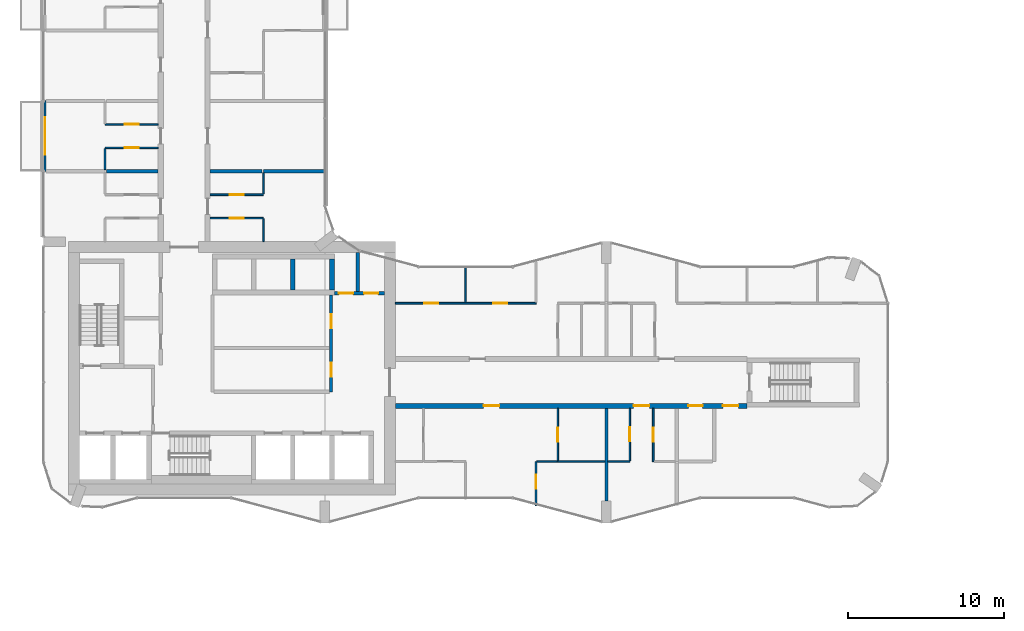
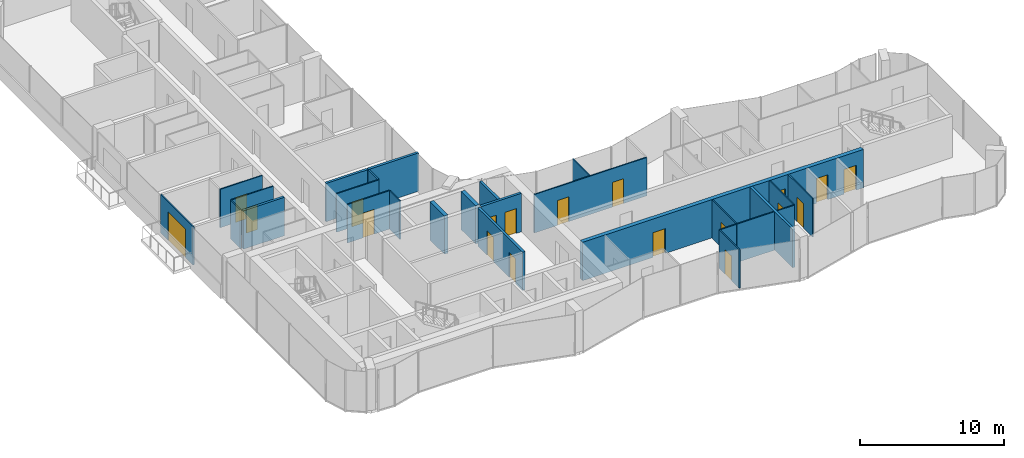
# One storey, part 14 of 23: 27 walls, 19 doors, 19 openings.
"""IFC4 building model written with IfcOpenShell, lengths in metres."""

from ifc_helpers import new_model, si_unit, direction, frame, frame_2d, origin, place, context, subcontext, project, spatial, rectangle, extrude, material, layer, layer_set, type_object, element, fill, save


model = new_model("IFC4")

# Units and contexts
model_context = context("Model", 3, precision=1e-05, world=origin(), true_north=direction((0.0, 1.0)))
body_context = subcontext(model_context, "Body", "Model", "MODEL_VIEW")
ifc_project = project(units=[si_unit("LENGTHUNIT", "METRE"), si_unit("AREAUNIT", "SQUARE_METRE"), si_unit("VOLUMEUNIT", "CUBIC_METRE"), si_unit("PLANEANGLEUNIT", "RADIAN"), si_unit("MASSUNIT", "GRAM", prefix="KILO")], contexts=[model_context])

# Site, building, storey
site_placement = place(None, origin())
site = spatial("IfcSite", under=ifc_project, at=site_placement, CompositionType="ELEMENT")
building_placement = place(site_placement, origin())
building = spatial("IfcBuilding", under=site, at=building_placement, Name="Plateau Cross Towers", CompositionType="ELEMENT")
storey_placement = place(building_placement, frame((0.0, 0.0, 95.800048828125)))
storey = spatial("IfcBuildingStorey", under=building, at=storey_placement, Name="L24", CompositionType="ELEMENT", Elevation=95.800048828125)

# Wall, opening, door
ifc_material_1 = material(Name="Aluminium framed glazing", Category="aluminium")
ifc_layer_1 = layer(ifc_material_1, 0.10009765625)
ifc_layer_set_1 = layer_set([ifc_layer_1], Name="Aluminium framed glazing")
wall_type_1 = type_object("IfcWallType", Name="Balcony screen wall 100", PredefinedType="STANDARD", material=ifc_layer_set_1)
wall_1_placement = place(storey_placement, frame((0.10009765625, 22.5, 0.0), z_axis=(0.0, 0.0, 1.0), x_axis=(0.0, 1.0, 0.0)))
wall_1 = element("IfcWall", 1, at=wall_1_placement, inside=storey, type_object=wall_type_1, Name="Balcony screen wall A-BAL-L24-01", PredefinedType="STANDARD", context=body_context, shape_type="SweptSolid", body=[
    extrude(rectangle(XDim=4.5, YDim=0.10009765625, at=frame_2d((2.25, 0.0))), origin(), (0.0, 0.0, 1.0), 3.25),
])
opening_1_placement = place(wall_1_placement, frame((1.050048828125, 0.0, 0.0)))
opening_1 = element("IfcOpeningElement", 2, at=opening_1_placement, cuts=wall_1, Name="Opening D-B24", PredefinedType="OPENING", context=body_context, shape_type="SweptSolid", body=[
    extrude(rectangle(XDim=2.39990234375, YDim=2.39990234375, at=frame_2d((1.199951171875, 1.199951171875))), frame((0.0, 0.06005859375, 0.0), z_axis=(0.0, -1.0, 0.0), x_axis=(1.0, 0.0, 0.0)), (0.0, 0.0, 1.0), 0.1201171875),
])
ifc_material_2 = material(Name="Aluminium frame, double glazing", Category="aluminium")
door_type_1 = type_object("IfcDoorType", Name="Balcony sliding door 2400", OperationType="NOTDEFINED", PredefinedType="DOOR", material=ifc_material_2)
door_1_placement = place(opening_1_placement, origin())
door_1 = element("IfcDoor", 3, at=door_1_placement, inside=storey, type_object=door_type_1, Name="Balcony door A-BAL-L24-01", OperationType="SINGLE_SWING_LEFT", OverallHeight=2.39990234375, OverallWidth=2.39990234375, PredefinedType="DOOR", context=body_context, shape_type="SweptSolid", body=[
    extrude(rectangle(XDim=2.39990234375, YDim=2.39990234375, at=frame_2d((1.199951171875, 1.199951171875))), frame((0.0, 0.02490234375, 0.0), z_axis=(0.0, -1.0, 0.0), x_axis=(1.0, 0.0, 0.0)), (0.0, 0.0, 1.0), 0.050048828125),
])
fill(opening_1, door_1)

# Wall, openings, doors
ifc_material_3 = material(Name="Concrete block, plastered both sides", Category="concrete")
ifc_layer_2 = layer(ifc_material_3, 0.199951171875)
ifc_layer_set_2 = layer_set([ifc_layer_2], Name="Concrete block, plastered both sides")
wall_type_2 = type_object("IfcWallType", Name="Core partition 200", PredefinedType="PARTITIONING", material=ifc_layer_set_2)
wall_2_placement = place(storey_placement, frame((18.39990234375, 8.39990234375, 0.0), z_axis=(0.0, 0.0, 1.0), x_axis=(0.0, 1.0, 0.0)))
wall_2 = element("IfcWall", 4, at=wall_2_placement, inside=storey, type_object=wall_type_2, Name="Core partition", PredefinedType="PARTITIONING", context=body_context, shape_type="SweptSolid", body=[
    extrude(rectangle(XDim=6.2001953125, YDim=0.199951171875, at=frame_2d((3.10009765625, 0.0))), origin(), (0.0, 0.0, 1.0), 3.25),
])
opening_2_placement = place(wall_2_placement, frame((0.949951171875, 0.0, 0.0)))
opening_2 = element("IfcOpeningElement", 5, at=opening_2_placement, cuts=wall_2, Name="Opening RD1", PredefinedType="OPENING", context=body_context, shape_type="SweptSolid", body=[
    extrude(rectangle(XDim=0.89990234375, YDim=2.10009765625, at=frame_2d((0.449951171875, 1.050048828125))), frame((0.0, 0.10986328125, 0.0), z_axis=(0.0, -1.0, 0.0), x_axis=(1.0, 0.0, 0.0)), (0.0, 0.0, 1.0), 0.219970703125),
])
opening_3_placement = place(wall_2_placement, frame((4.050048828125, 0.0, 0.0)))
opening_3 = element("IfcOpeningElement", 6, at=opening_3_placement, cuts=wall_2, Name="Opening RD1", PredefinedType="OPENING", context=body_context, shape_type="SweptSolid", body=[
    extrude(rectangle(XDim=0.89990234375, YDim=2.10009765625, at=frame_2d((0.449951171875, 1.050048828125))), frame((0.0, 0.10986328125, 0.0), z_axis=(0.0, -1.0, 0.0), x_axis=(1.0, 0.0, 0.0)), (0.0, 0.0, 1.0), 0.219970703125),
])
ifc_material_4 = material(Name="Timber, fire-resisting leaf", Category="wood")
door_type_2 = type_object("IfcDoorType", Name="Core service door 900", OperationType="NOTDEFINED", PredefinedType="DOOR", material=ifc_material_4)
door_2_placement = place(opening_2_placement, origin())
door_2 = element("IfcDoor", 7, at=door_2_placement, inside=storey, type_object=door_type_2, Name="Core service door RD1", OperationType="SINGLE_SWING_LEFT", OverallHeight=2.10009765625, OverallWidth=0.89990234375, PredefinedType="DOOR", context=body_context, shape_type="SweptSolid", body=[
    extrude(rectangle(XDim=0.89990234375, YDim=2.10009765625, at=frame_2d((0.449951171875, 1.050048828125))), frame((0.0, 0.02490234375, 0.0), z_axis=(0.0, -1.0, 0.0), x_axis=(1.0, 0.0, 0.0)), (0.0, 0.0, 1.0), 0.050048828125),
])
fill(opening_2, door_2)
door_3_placement = place(opening_3_placement, origin())
door_3 = element("IfcDoor", 8, at=door_3_placement, inside=storey, type_object=door_type_2, Name="Core service door RD1", OperationType="SINGLE_SWING_LEFT", OverallHeight=2.10009765625, OverallWidth=0.89990234375, PredefinedType="DOOR", context=body_context, shape_type="SweptSolid", body=[
    extrude(rectangle(XDim=0.89990234375, YDim=2.10009765625, at=frame_2d((0.449951171875, 1.050048828125))), frame((0.0, 0.02490234375, 0.0), z_axis=(0.0, -1.0, 0.0), x_axis=(1.0, 0.0, 0.0)), (0.0, 0.0, 1.0), 0.050048828125),
])
fill(opening_3, door_3)

wall_3_placement = place(storey_placement, frame((18.60009765625, 14.699951171875, 0.0), z_axis=(0.0, 0.0, 1.0), x_axis=(1.0, 0.0, 0.0)))
wall_3 = element("IfcWall", 9, at=wall_3_placement, inside=storey, type_object=wall_type_2, Name="Core partition", PredefinedType="PARTITIONING", context=body_context, shape_type="SweptSolid", body=[
    extrude(rectangle(XDim=3.199951171875, YDim=0.199951171875, at=frame_2d((1.60009765625, 0.0))), origin(), (0.0, 0.0, 1.0), 3.25),
])
opening_4_placement = place(wall_3_placement, frame((0.300048828125, 0.0, 0.0)))
opening_4 = element("IfcOpeningElement", 10, at=opening_4_placement, cuts=wall_3, Name="Opening RD2", PredefinedType="OPENING", context=body_context, shape_type="SweptSolid", body=[
    extrude(rectangle(XDim=0.89990234375, YDim=2.10009765625, at=frame_2d((0.449951171875, 1.050048828125))), frame((0.0, 0.10986328125, 0.0), z_axis=(0.0, -1.0, 0.0), x_axis=(1.0, 0.0, 0.0)), (0.0, 0.0, 1.0), 0.219970703125),
])
opening_5_placement = place(wall_3_placement, frame((1.89990234375, 0.0, 0.0)))
opening_5 = element("IfcOpeningElement", 11, at=opening_5_placement, cuts=wall_3, Name="Opening RD2", PredefinedType="OPENING", context=body_context, shape_type="SweptSolid", body=[
    extrude(rectangle(XDim=0.89990234375, YDim=2.10009765625, at=frame_2d((0.449951171875, 1.050048828125))), frame((0.0, 0.10986328125, 0.0), z_axis=(0.0, -1.0, 0.0), x_axis=(1.0, 0.0, 0.0)), (0.0, 0.0, 1.0), 0.219970703125),
])
ifc_material_5 = material(Name="Steel, fire-resisting leaf", Category="steel")
door_type_3 = type_object("IfcDoorType", Name="Core riser door 900", OperationType="NOTDEFINED", PredefinedType="DOOR", material=ifc_material_5)
door_4_placement = place(opening_4_placement, origin())
door_4 = element("IfcDoor", 12, at=door_4_placement, inside=storey, type_object=door_type_3, Name="Core riser door RD2", OperationType="SINGLE_SWING_LEFT", OverallHeight=2.10009765625, OverallWidth=0.89990234375, PredefinedType="DOOR", context=body_context, shape_type="SweptSolid", body=[
    extrude(rectangle(XDim=0.89990234375, YDim=2.10009765625, at=frame_2d((0.449951171875, 1.050048828125))), frame((0.0, 0.02490234375, 0.0), z_axis=(0.0, -1.0, 0.0), x_axis=(1.0, 0.0, 0.0)), (0.0, 0.0, 1.0), 0.050048828125),
])
fill(opening_4, door_4)
door_5_placement = place(opening_5_placement, origin())
door_5 = element("IfcDoor", 13, at=door_5_placement, inside=storey, type_object=door_type_3, Name="Core riser door RD2", OperationType="SINGLE_SWING_LEFT", OverallHeight=2.10009765625, OverallWidth=0.89990234375, PredefinedType="DOOR", context=body_context, shape_type="SweptSolid", body=[
    extrude(rectangle(XDim=0.89990234375, YDim=2.10009765625, at=frame_2d((0.449951171875, 1.050048828125))), frame((0.0, 0.02490234375, 0.0), z_axis=(0.0, -1.0, 0.0), x_axis=(1.0, 0.0, 0.0)), (0.0, 0.0, 1.0), 0.050048828125),
])
fill(opening_5, door_5)

# Walls
wall_4_placement = place(storey_placement, frame((20.10009765625, 14.800048828125, 0.0), z_axis=(0.0, 0.0, 1.0), x_axis=(0.0, 1.0, 0.0)))
element("IfcWall", 14, at=wall_4_placement, inside=storey, type_object=wall_type_2, Name="Core partition", PredefinedType="PARTITIONING", context=body_context, shape_type="SweptSolid", body=[
    extrude(rectangle(XDim=2.5, YDim=0.199951171875, at=frame_2d((1.25, 0.0))), origin(), (0.0, 0.0, 1.0), 3.25),
])
ifc_material_6 = material(Name="Concrete C60/75", Category="concrete")
ifc_layer_3 = layer(ifc_material_6, 0.300048828125)
ifc_layer_set_3 = layer_set([ifc_layer_3], Name="Concrete C60/75")
wall_type_3 = type_object("IfcWallType", Name="Core shaft wall 300", PredefinedType="SHEAR", material=ifc_layer_set_3)
for number, where, z_axis, x_axis, name in (
    (15, (15.949951171875, 14.89990234375, 0.0), (0.0, 0.0, 1.0), (0.0, 1.0, 0.0), "A-nb-v3@L24"),
    (16, (18.449951171875, 14.89990234375, 0.0), (0.0, 0.0, 1.0), (0.0, 1.0, 0.0), "A-nb-v4@L24"),
):
    element("IfcWall", number, at=place(storey_placement, frame(where, z_axis=z_axis, x_axis=x_axis)), inside=storey, type_object=wall_type_3, Name=name, PredefinedType="SHEAR", context=body_context, shape_type="SweptSolid", body=[
        extrude(rectangle(XDim=2.0, YDim=0.300048828125, at=frame_2d((1.0, 0.0))), origin(), (0.0, 0.0, 1.0), 3.25),
    ])

# Wall, openings, doors
ifc_layer_4 = layer(ifc_material_6, 0.324951171875)
ifc_layer_set_4 = layer_set([ifc_layer_4], Name="Concrete C60/75")
wall_type_4 = type_object("IfcWallType", Name="Corridor wall 325", PredefinedType="SHEAR", material=ifc_layer_set_4)
wall_5_placement = place(storey_placement, frame((22.5, 7.5, 0.0), z_axis=(0.0, 0.0, 1.0), x_axis=(1.0, 0.0, 0.0)))
wall_5 = element("IfcWall", 17, at=wall_5_placement, inside=storey, type_object=wall_type_4, Name="A-cw-S1@L24", PredefinedType="SHEAR", context=body_context, shape_type="SweptSolid", body=[
    extrude(rectangle(XDim=22.5, YDim=0.324951171875, at=frame_2d((11.25, 0.0))), origin(), (0.0, 0.0, 1.0), 3.25),
])
opening_6_placement = place(wall_5_placement, frame((5.64990234375, 0.0, 0.0)))
opening_6 = element("IfcOpeningElement", 18, at=opening_6_placement, cuts=wall_5, Name="Opening 24-01", PredefinedType="OPENING", context=body_context, shape_type="SweptSolid", body=[
    extrude(rectangle(XDim=1.0, YDim=2.10009765625, at=frame_2d((0.5, 1.050048828125))), frame((0.0, 0.17236328125, 0.0), z_axis=(0.0, -1.0, 0.0), x_axis=(1.0, 0.0, 0.0)), (0.0, 0.0, 1.0), 0.344970703125),
])
opening_7_placement = place(wall_5_placement, frame((15.25, 0.0, 0.0)))
opening_7 = element("IfcOpeningElement", 19, at=opening_7_placement, cuts=wall_5, Name="Opening 24-02", PredefinedType="OPENING", context=body_context, shape_type="SweptSolid", body=[
    extrude(rectangle(XDim=1.0, YDim=2.10009765625, at=frame_2d((0.5, 1.050048828125))), frame((0.0, 0.17236328125, 0.0), z_axis=(0.0, -1.0, 0.0), x_axis=(1.0, 0.0, 0.0)), (0.0, 0.0, 1.0), 0.344970703125),
])
opening_8_placement = place(wall_5_placement, frame((18.75, 0.0, 0.0)))
opening_8 = element("IfcOpeningElement", 20, at=opening_8_placement, cuts=wall_5, Name="Opening 24-03", PredefinedType="OPENING", context=body_context, shape_type="SweptSolid", body=[
    extrude(rectangle(XDim=0.89990234375, YDim=2.10009765625, at=frame_2d((0.449951171875, 1.050048828125))), frame((0.0, 0.17236328125, 0.0), z_axis=(0.0, -1.0, 0.0), x_axis=(1.0, 0.0, 0.0)), (0.0, 0.0, 1.0), 0.344970703125),
])
opening_9_placement = place(wall_5_placement, frame((20.949951171875, 0.0, 0.0)))
opening_9 = element("IfcOpeningElement", 21, at=opening_9_placement, cuts=wall_5, Name="Opening 24-04", PredefinedType="OPENING", context=body_context, shape_type="SweptSolid", body=[
    extrude(rectangle(XDim=1.0, YDim=2.10009765625, at=frame_2d((0.5, 1.050048828125))), frame((0.0, 0.17236328125, 0.0), z_axis=(0.0, -1.0, 0.0), x_axis=(1.0, 0.0, 0.0)), (0.0, 0.0, 1.0), 0.344970703125),
])
door_type_4 = type_object("IfcDoorType", Name="Flat entrance door 1000", OperationType="NOTDEFINED", PredefinedType="DOOR", material=ifc_material_4)
door_6_placement = place(opening_6_placement, origin())
door_6 = element("IfcDoor", 22, at=door_6_placement, inside=storey, type_object=door_type_4, Name="Door 24-01", OperationType="SINGLE_SWING_LEFT", OverallHeight=2.10009765625, OverallWidth=1.0, PredefinedType="DOOR", context=body_context, shape_type="SweptSolid", body=[
    extrude(rectangle(XDim=1.0, YDim=2.10009765625, at=frame_2d((0.5, 1.050048828125))), frame((0.0, 0.02490234375, 0.0), z_axis=(0.0, -1.0, 0.0), x_axis=(1.0, 0.0, 0.0)), (0.0, 0.0, 1.0), 0.050048828125),
])
fill(opening_6, door_6)
door_7_placement = place(opening_7_placement, origin())
door_7 = element("IfcDoor", 23, at=door_7_placement, inside=storey, type_object=door_type_4, Name="Door 24-02", OperationType="SINGLE_SWING_RIGHT", OverallHeight=2.10009765625, OverallWidth=1.0, PredefinedType="DOOR", context=body_context, shape_type="SweptSolid", body=[
    extrude(rectangle(XDim=1.0, YDim=2.10009765625, at=frame_2d((0.5, 1.050048828125))), frame((0.0, 0.02490234375, 0.0), z_axis=(0.0, -1.0, 0.0), x_axis=(1.0, 0.0, 0.0)), (0.0, 0.0, 1.0), 0.050048828125),
])
fill(opening_7, door_7)
door_8_placement = place(opening_9_placement, origin())
door_8 = element("IfcDoor", 24, at=door_8_placement, inside=storey, type_object=door_type_4, Name="Door 24-04", OperationType="SINGLE_SWING_RIGHT", OverallHeight=2.10009765625, OverallWidth=1.0, PredefinedType="DOOR", context=body_context, shape_type="SweptSolid", body=[
    extrude(rectangle(XDim=1.0, YDim=2.10009765625, at=frame_2d((0.5, 1.050048828125))), frame((0.0, 0.02490234375, 0.0), z_axis=(0.0, -1.0, 0.0), x_axis=(1.0, 0.0, 0.0)), (0.0, 0.0, 1.0), 0.050048828125),
])
fill(opening_9, door_8)
door_type_5 = type_object("IfcDoorType", Name="Flat floor service door 900", OperationType="NOTDEFINED", PredefinedType="DOOR", material=ifc_material_4)
door_9_placement = place(opening_8_placement, origin())
door_9 = element("IfcDoor", 25, at=door_9_placement, inside=storey, type_object=door_type_5, Name="Door 24-03", OperationType="SINGLE_SWING_RIGHT", OverallHeight=2.10009765625, OverallWidth=0.89990234375, PredefinedType="DOOR", context=body_context, shape_type="SweptSolid", body=[
    extrude(rectangle(XDim=0.89990234375, YDim=2.10009765625, at=frame_2d((0.449951171875, 1.050048828125))), frame((0.0, 0.02490234375, 0.0), z_axis=(0.0, -1.0, 0.0), x_axis=(1.0, 0.0, 0.0)), (0.0, 0.0, 1.0), 0.050048828125),
])
fill(opening_8, door_9)

# Walls
ifc_material_7 = material(Name="Gypsum board on steel studs", Category="steel")
ifc_layer_5 = layer(ifc_material_7, 0.10009765625)
ifc_layer_set_5 = layer_set([ifc_layer_5], Name="Gypsum board on steel studs")
wall_type_5 = type_object("IfcWallType", Name="Flat partition 100", PredefinedType="PARTITIONING", material=ifc_layer_set_5)
wall_6_placement = place(storey_placement, frame((32.85009765625, 3.9375, 0.0), z_axis=(0.0, 0.0, 1.0), x_axis=(-1.0, 0.0, 0.0)))
element("IfcWall", 26, at=wall_6_placement, inside=storey, type_object=wall_type_5, Name="Partition wall", PredefinedType="PARTITIONING", context=body_context, shape_type="SweptSolid", body=[
    extrude(rectangle(XDim=1.300048828125, YDim=0.10009765625, at=frame_2d((0.64990234375, 0.0))), origin(), (0.0, 0.0, 1.0), 3.25),
])
wall_7_placement = place(storey_placement, frame((32.89990234375, 3.9375, 0.0), z_axis=(0.0, 0.0, 1.0), x_axis=(1.0, 0.0, 0.0)))
element("IfcWall", 27, at=wall_7_placement, inside=storey, type_object=wall_type_5, Name="Partition wall", PredefinedType="PARTITIONING", context=body_context, shape_type="SweptSolid", body=[
    extrude(rectangle(XDim=3.0, YDim=0.10009765625, at=frame_2d((1.5, 0.0))), origin(), (0.0, 0.0, 1.0), 3.25),
])
wall_8_placement = place(storey_placement, frame((36.10009765625, 3.9375, 0.0), z_axis=(0.0, 0.0, 1.0), x_axis=(1.0, 0.0, 0.0)))
element("IfcWall", 28, at=wall_8_placement, inside=storey, type_object=wall_type_5, Name="Partition wall", PredefinedType="PARTITIONING", context=body_context, shape_type="SweptSolid", body=[
    extrude(rectangle(XDim=1.39990234375, YDim=0.10009765625, at=frame_2d((0.699951171875, 0.0))), origin(), (0.0, 0.0, 1.0), 3.25),
])

# Wall, openings, doors
wall_9_placement = place(storey_placement, frame((22.5, 14.0625, 0.0), z_axis=(0.0, 0.0, 1.0), x_axis=(1.0, 0.0, 0.0)))
wall_9 = element("IfcWall", 29, at=wall_9_placement, inside=storey, type_object=wall_type_5, Name="Partition wall", PredefinedType="PARTITIONING", context=body_context, shape_type="SweptSolid", body=[
    extrude(rectangle(XDim=9.0, YDim=0.10009765625, at=frame_2d((4.5, 0.0))), origin(), (0.0, 0.0, 1.0), 3.25),
])
opening_10_placement = place(wall_9_placement, frame((1.85009765625, 0.0, 0.0)))
opening_10 = element("IfcOpeningElement", 30, at=opening_10_placement, cuts=wall_9, Name="Opening 24-26", PredefinedType="OPENING", context=body_context, shape_type="SweptSolid", body=[
    extrude(rectangle(XDim=0.89990234375, YDim=2.10009765625, at=frame_2d((0.449951171875, 1.050048828125))), frame((0.0, 0.06005859375, 0.0), z_axis=(0.0, -1.0, 0.0), x_axis=(1.0, 0.0, 0.0)), (0.0, 0.0, 1.0), 0.1201171875),
])
opening_11_placement = place(wall_9_placement, frame((6.25, 0.0, 0.0)))
opening_11 = element("IfcOpeningElement", 31, at=opening_11_placement, cuts=wall_9, Name="Opening 24-27", PredefinedType="OPENING", context=body_context, shape_type="SweptSolid", body=[
    extrude(rectangle(XDim=0.89990234375, YDim=2.10009765625, at=frame_2d((0.449951171875, 1.050048828125))), frame((0.0, 0.06005859375, 0.0), z_axis=(0.0, -1.0, 0.0), x_axis=(1.0, 0.0, 0.0)), (0.0, 0.0, 1.0), 0.1201171875),
])
ifc_material_8 = material(Name="Timber leaf", Category="wood")
door_type_6 = type_object("IfcDoorType", Name="Flat room door 900", OperationType="NOTDEFINED", PredefinedType="DOOR", material=ifc_material_8)
door_10_placement = place(opening_10_placement, origin())
door_10 = element("IfcDoor", 32, at=door_10_placement, inside=storey, type_object=door_type_6, Name="Door 24-26", OperationType="SINGLE_SWING_LEFT", OverallHeight=2.10009765625, OverallWidth=0.89990234375, PredefinedType="DOOR", context=body_context, shape_type="SweptSolid", body=[
    extrude(rectangle(XDim=0.89990234375, YDim=2.10009765625, at=frame_2d((0.449951171875, 1.050048828125))), frame((0.0, 0.02490234375, 0.0), z_axis=(0.0, -1.0, 0.0), x_axis=(1.0, 0.0, 0.0)), (0.0, 0.0, 1.0), 0.050048828125),
])
fill(opening_10, door_10)
door_11_placement = place(opening_11_placement, origin())
door_11 = element("IfcDoor", 33, at=door_11_placement, inside=storey, type_object=door_type_6, Name="Door 24-27", OperationType="SINGLE_SWING_RIGHT", OverallHeight=2.10009765625, OverallWidth=0.89990234375, PredefinedType="DOOR", context=body_context, shape_type="SweptSolid", body=[
    extrude(rectangle(XDim=0.89990234375, YDim=2.10009765625, at=frame_2d((0.449951171875, 1.050048828125))), frame((0.0, 0.02490234375, 0.0), z_axis=(0.0, -1.0, 0.0), x_axis=(1.0, 0.0, 0.0)), (0.0, 0.0, 1.0), 0.050048828125),
])
fill(opening_11, door_11)

# Wall, opening, door
wall_10_placement = place(storey_placement, frame((14.0625, 19.5, 0.0), z_axis=(0.0, 0.0, 1.0), x_axis=(-1.0, 0.0, 0.0)))
wall_10 = element("IfcWall", 34, at=wall_10_placement, inside=storey, type_object=wall_type_5, Name="Partition wall", PredefinedType="PARTITIONING", context=body_context, shape_type="SweptSolid", body=[
    extrude(rectangle(XDim=3.39990234375, YDim=0.10009765625, at=frame_2d((1.699951171875, 0.0))), origin(), (0.0, 0.0, 1.0), 3.25),
])
opening_12_placement = place(wall_10_placement, frame((1.25, 0.0, 0.0)))
opening_12 = element("IfcOpeningElement", 35, at=opening_12_placement, cuts=wall_10, Name="Opening 24-39", PredefinedType="OPENING", context=body_context, shape_type="SweptSolid", body=[
    extrude(rectangle(XDim=0.89990234375, YDim=2.10009765625, at=frame_2d((0.449951171875, 1.050048828125))), frame((0.0, 0.06005859375, 0.0), z_axis=(0.0, -1.0, 0.0), x_axis=(1.0, 0.0, 0.0)), (0.0, 0.0, 1.0), 0.1201171875),
])
door_12_placement = place(opening_12_placement, origin())
door_12 = element("IfcDoor", 36, at=door_12_placement, inside=storey, type_object=door_type_6, Name="Door 24-39", OperationType="SINGLE_SWING_LEFT", OverallHeight=2.10009765625, OverallWidth=0.89990234375, PredefinedType="DOOR", context=body_context, shape_type="SweptSolid", body=[
    extrude(rectangle(XDim=0.89990234375, YDim=2.10009765625, at=frame_2d((0.449951171875, 1.050048828125))), frame((0.0, 0.02490234375, 0.0), z_axis=(0.0, -1.0, 0.0), x_axis=(1.0, 0.0, 0.0)), (0.0, 0.0, 1.0), 0.050048828125),
])
fill(opening_12, door_12)

wall_11_placement = place(storey_placement, frame((10.66259765625, 21.0, 0.0), z_axis=(0.0, 0.0, 1.0), x_axis=(1.0, 0.0, 0.0)))
wall_11 = element("IfcWall", 37, at=wall_11_placement, inside=storey, type_object=wall_type_5, Name="Partition wall", PredefinedType="PARTITIONING", context=body_context, shape_type="SweptSolid", body=[
    extrude(rectangle(XDim=3.39990234375, YDim=0.10009765625, at=frame_2d((1.699951171875, 0.0))), origin(), (0.0, 0.0, 1.0), 3.25),
])
opening_13_placement = place(wall_11_placement, frame((1.25, 0.0, 0.0)))
opening_13 = element("IfcOpeningElement", 38, at=opening_13_placement, cuts=wall_11, Name="Opening 24-40", PredefinedType="OPENING", context=body_context, shape_type="SweptSolid", body=[
    extrude(rectangle(XDim=0.89990234375, YDim=2.10009765625, at=frame_2d((0.449951171875, 1.050048828125))), frame((0.0, 0.06005859375, 0.0), z_axis=(0.0, -1.0, 0.0), x_axis=(1.0, 0.0, 0.0)), (0.0, 0.0, 1.0), 0.1201171875),
])
door_13_placement = place(opening_13_placement, origin())
door_13 = element("IfcDoor", 39, at=door_13_placement, inside=storey, type_object=door_type_6, Name="Door 24-40", OperationType="SINGLE_SWING_LEFT", OverallHeight=2.10009765625, OverallWidth=0.89990234375, PredefinedType="DOOR", context=body_context, shape_type="SweptSolid", body=[
    extrude(rectangle(XDim=0.89990234375, YDim=2.10009765625, at=frame_2d((0.449951171875, 1.050048828125))), frame((0.0, 0.02490234375, 0.0), z_axis=(0.0, -1.0, 0.0), x_axis=(1.0, 0.0, 0.0)), (0.0, 0.0, 1.0), 0.050048828125),
])
fill(opening_13, door_13)

wall_12_placement = place(storey_placement, frame((7.33740234375, 24.0, 0.0), z_axis=(0.0, 0.0, 1.0), x_axis=(-1.0, 0.0, 0.0)))
wall_12 = element("IfcWall", 40, at=wall_12_placement, inside=storey, type_object=wall_type_5, Name="Partition wall", PredefinedType="PARTITIONING", context=body_context, shape_type="SweptSolid", body=[
    extrude(rectangle(XDim=3.39990234375, YDim=0.10009765625, at=frame_2d((1.699951171875, 0.0))), origin(), (0.0, 0.0, 1.0), 3.25),
])
opening_14_placement = place(wall_12_placement, frame((1.25, 0.0, 0.0)))
opening_14 = element("IfcOpeningElement", 41, at=opening_14_placement, cuts=wall_12, Name="Opening 24-35", PredefinedType="OPENING", context=body_context, shape_type="SweptSolid", body=[
    extrude(rectangle(XDim=0.89990234375, YDim=2.10009765625, at=frame_2d((0.449951171875, 1.050048828125))), frame((0.0, 0.06005859375, 0.0), z_axis=(0.0, -1.0, 0.0), x_axis=(1.0, 0.0, 0.0)), (0.0, 0.0, 1.0), 0.1201171875),
])
door_14_placement = place(opening_14_placement, origin())
door_14 = element("IfcDoor", 42, at=door_14_placement, inside=storey, type_object=door_type_6, Name="Door 24-35", OperationType="SINGLE_SWING_LEFT", OverallHeight=2.10009765625, OverallWidth=0.89990234375, PredefinedType="DOOR", context=body_context, shape_type="SweptSolid", body=[
    extrude(rectangle(XDim=0.89990234375, YDim=2.10009765625, at=frame_2d((0.449951171875, 1.050048828125))), frame((0.0, 0.02490234375, 0.0), z_axis=(0.0, -1.0, 0.0), x_axis=(1.0, 0.0, 0.0)), (0.0, 0.0, 1.0), 0.050048828125),
])
fill(opening_14, door_14)

wall_13_placement = place(storey_placement, frame((3.9375, 25.5, 0.0), z_axis=(0.0, 0.0, 1.0), x_axis=(1.0, 0.0, 0.0)))
wall_13 = element("IfcWall", 43, at=wall_13_placement, inside=storey, type_object=wall_type_5, Name="Partition wall", PredefinedType="PARTITIONING", context=body_context, shape_type="SweptSolid", body=[
    extrude(rectangle(XDim=3.39990234375, YDim=0.10009765625, at=frame_2d((1.699951171875, 0.0))), origin(), (0.0, 0.0, 1.0), 3.25),
])
opening_15_placement = place(wall_13_placement, frame((1.25, 0.0, 0.0)))
opening_15 = element("IfcOpeningElement", 44, at=opening_15_placement, cuts=wall_13, Name="Opening 24-36", PredefinedType="OPENING", context=body_context, shape_type="SweptSolid", body=[
    extrude(rectangle(XDim=0.89990234375, YDim=2.10009765625, at=frame_2d((0.449951171875, 1.050048828125))), frame((0.0, 0.06005859375, 0.0), z_axis=(0.0, -1.0, 0.0), x_axis=(1.0, 0.0, 0.0)), (0.0, 0.0, 1.0), 0.1201171875),
])
door_15_placement = place(opening_15_placement, origin())
door_15 = element("IfcDoor", 45, at=door_15_placement, inside=storey, type_object=door_type_6, Name="Door 24-36", OperationType="SINGLE_SWING_LEFT", OverallHeight=2.10009765625, OverallWidth=0.89990234375, PredefinedType="DOOR", context=body_context, shape_type="SweptSolid", body=[
    extrude(rectangle(XDim=0.89990234375, YDim=2.10009765625, at=frame_2d((0.449951171875, 1.050048828125))), frame((0.0, 0.02490234375, 0.0), z_axis=(0.0, -1.0, 0.0), x_axis=(1.0, 0.0, 0.0)), (0.0, 0.0, 1.0), 0.050048828125),
])
fill(opening_15, door_15)

# Walls
wall_14_placement = place(storey_placement, frame((3.9375, 23.949951171875, 0.0), z_axis=(0.0, 0.0, 1.0), x_axis=(0.0, -1.0, 0.0)))
element("IfcWall", 46, at=wall_14_placement, inside=storey, type_object=wall_type_5, Name="Partition wall", PredefinedType="PARTITIONING", context=body_context, shape_type="SweptSolid", body=[
    extrude(rectangle(XDim=1.349853515625, YDim=0.10009765625, at=frame_2d((0.6748046875, 0.0))), origin(), (0.0, 0.0, 1.0), 3.25),
])
wall_15_placement = place(storey_placement, frame((14.0625, 18.0, 0.0), z_axis=(0.0, 0.0, 1.0), x_axis=(0.0, 1.0, 0.0)))
element("IfcWall", 47, at=wall_15_placement, inside=storey, type_object=wall_type_5, Name="Partition wall", PredefinedType="PARTITIONING", context=body_context, shape_type="SweptSolid", body=[
    extrude(rectangle(XDim=1.449951171875, YDim=0.10009765625, at=frame_2d((0.72509765625, 0.0))), origin(), (0.0, 0.0, 1.0), 3.25),
])
wall_16_placement = place(storey_placement, frame((14.0625, 21.050048828125, 0.0), z_axis=(0.0, 0.0, 1.0), x_axis=(0.0, 1.0, 0.0)))
element("IfcWall", 48, at=wall_16_placement, inside=storey, type_object=wall_type_5, Name="Partition wall", PredefinedType="PARTITIONING", context=body_context, shape_type="SweptSolid", body=[
    extrude(rectangle(XDim=1.349853515625, YDim=0.10009765625, at=frame_2d((0.6748046875, 0.0))), origin(), (0.0, 0.0, 1.0), 3.25),
])
wall_17_placement = place(storey_placement, frame((27.0, 14.112548828125, 0.0), z_axis=(0.0, 0.0, 1.0), x_axis=(0.0, 1.0, 0.0)))
element("IfcWall", 49, at=wall_17_placement, inside=storey, type_object=wall_type_5, Name="Partition wall", PredefinedType="PARTITIONING", context=body_context, shape_type="SweptSolid", body=[
    extrude(rectangle(XDim=2.360595703125, YDim=0.10009765625, at=frame_2d((1.18017578125, 0.0))), origin(), (0.0, 0.0, 1.0), 3.25),
])

# Wall, opening, door
wall_18_placement = place(storey_placement, frame((31.5, 3.9375, 0.0), z_axis=(0.0, 0.0, 1.0), x_axis=(0.0, -1.0, 0.0)))
wall_18 = element("IfcWall", 50, at=wall_18_placement, inside=storey, type_object=wall_type_5, Name="Partition wall", PredefinedType="PARTITIONING", context=body_context, shape_type="SweptSolid", body=[
    extrude(rectangle(XDim=2.815185546875, YDim=0.10009765625, at=frame_2d((1.40771484375, 0.0))), origin(), (0.0, 0.0, 1.0), 3.25),
])
opening_16_placement = place(wall_18_placement, frame((0.85009765625, 0.0, 0.0)))
opening_16 = element("IfcOpeningElement", 51, at=opening_16_placement, cuts=wall_18, Name="Opening 24-21", PredefinedType="OPENING", context=body_context, shape_type="SweptSolid", body=[
    extrude(rectangle(XDim=0.89990234375, YDim=2.10009765625, at=frame_2d((0.449951171875, 1.050048828125))), frame((0.0, 0.06005859375, 0.0), z_axis=(0.0, -1.0, 0.0), x_axis=(1.0, 0.0, 0.0)), (0.0, 0.0, 1.0), 0.1201171875),
])
door_16_placement = place(opening_16_placement, origin())
door_16 = element("IfcDoor", 52, at=door_16_placement, inside=storey, type_object=door_type_6, Name="Door 24-21", OperationType="SINGLE_SWING_LEFT", OverallHeight=2.10009765625, OverallWidth=0.89990234375, PredefinedType="DOOR", context=body_context, shape_type="SweptSolid", body=[
    extrude(rectangle(XDim=0.89990234375, YDim=2.10009765625, at=frame_2d((0.449951171875, 1.050048828125))), frame((0.0, 0.02490234375, 0.0), z_axis=(0.0, -1.0, 0.0), x_axis=(1.0, 0.0, 0.0)), (0.0, 0.0, 1.0), 0.050048828125),
])
fill(opening_16, door_16)

wall_19_placement = place(storey_placement, frame((32.89990234375, 7.33740234375, 0.0), z_axis=(0.0, 0.0, 1.0), x_axis=(0.0, -1.0, 0.0)))
wall_19 = element("IfcWall", 53, at=wall_19_placement, inside=storey, type_object=wall_type_5, Name="Partition wall", PredefinedType="PARTITIONING", context=body_context, shape_type="SweptSolid", body=[
    extrude(rectangle(XDim=3.349853515625, YDim=0.10009765625, at=frame_2d((1.6748046875, 0.0))), origin(), (0.0, 0.0, 1.0), 3.25),
])
opening_17_placement = place(wall_19_placement, frame((1.25, 0.0, 0.0)))
opening_17 = element("IfcOpeningElement", 54, at=opening_17_placement, cuts=wall_19, Name="Opening 24-19", PredefinedType="OPENING", context=body_context, shape_type="SweptSolid", body=[
    extrude(rectangle(XDim=0.89990234375, YDim=2.10009765625, at=frame_2d((0.449951171875, 1.050048828125))), frame((0.0, 0.06005859375, 0.0), z_axis=(0.0, -1.0, 0.0), x_axis=(1.0, 0.0, 0.0)), (0.0, 0.0, 1.0), 0.1201171875),
])
door_17_placement = place(opening_17_placement, origin())
door_17 = element("IfcDoor", 55, at=door_17_placement, inside=storey, type_object=door_type_6, Name="Door 24-19", OperationType="SINGLE_SWING_RIGHT", OverallHeight=2.10009765625, OverallWidth=0.89990234375, PredefinedType="DOOR", context=body_context, shape_type="SweptSolid", body=[
    extrude(rectangle(XDim=0.89990234375, YDim=2.10009765625, at=frame_2d((0.449951171875, 1.050048828125))), frame((0.0, 0.02490234375, 0.0), z_axis=(0.0, -1.0, 0.0), x_axis=(1.0, 0.0, 0.0)), (0.0, 0.0, 1.0), 0.050048828125),
])
fill(opening_17, door_17)

wall_20_placement = place(storey_placement, frame((37.5, 3.987548828125, 0.0), z_axis=(0.0, 0.0, 1.0), x_axis=(0.0, 1.0, 0.0)))
wall_20 = element("IfcWall", 56, at=wall_20_placement, inside=storey, type_object=wall_type_5, Name="Partition wall", PredefinedType="PARTITIONING", context=body_context, shape_type="SweptSolid", body=[
    extrude(rectangle(XDim=3.349853515625, YDim=0.10009765625, at=frame_2d((1.6748046875, 0.0))), origin(), (0.0, 0.0, 1.0), 3.25),
])
opening_18_placement = place(wall_20_placement, frame((1.25, 0.0, 0.0)))
opening_18 = element("IfcOpeningElement", 57, at=opening_18_placement, cuts=wall_20, Name="Opening 24-22", PredefinedType="OPENING", context=body_context, shape_type="SweptSolid", body=[
    extrude(rectangle(XDim=0.89990234375, YDim=2.10009765625, at=frame_2d((0.449951171875, 1.050048828125))), frame((0.0, 0.06005859375, 0.0), z_axis=(0.0, -1.0, 0.0), x_axis=(1.0, 0.0, 0.0)), (0.0, 0.0, 1.0), 0.1201171875),
])
door_18_placement = place(opening_18_placement, origin())
door_18 = element("IfcDoor", 58, at=door_18_placement, inside=storey, type_object=door_type_6, Name="Door 24-22", OperationType="SINGLE_SWING_RIGHT", OverallHeight=2.10009765625, OverallWidth=0.89990234375, PredefinedType="DOOR", context=body_context, shape_type="SweptSolid", body=[
    extrude(rectangle(XDim=0.89990234375, YDim=2.10009765625, at=frame_2d((0.449951171875, 1.050048828125))), frame((0.0, 0.02490234375, 0.0), z_axis=(0.0, -1.0, 0.0), x_axis=(1.0, 0.0, 0.0)), (0.0, 0.0, 1.0), 0.050048828125),
])
fill(opening_18, door_18)

wall_21_placement = place(storey_placement, frame((39.0, 7.33740234375, 0.0), z_axis=(0.0, 0.0, 1.0), x_axis=(0.0, -1.0, 0.0)))
wall_21 = element("IfcWall", 59, at=wall_21_placement, inside=storey, type_object=wall_type_5, Name="Partition wall", PredefinedType="PARTITIONING", context=body_context, shape_type="SweptSolid", body=[
    extrude(rectangle(XDim=3.39990234375, YDim=0.10009765625, at=frame_2d((1.699951171875, 0.0))), origin(), (0.0, 0.0, 1.0), 3.25),
])
opening_19_placement = place(wall_21_placement, frame((1.25, 0.0, 0.0)))
opening_19 = element("IfcOpeningElement", 60, at=opening_19_placement, cuts=wall_21, Name="Opening 24-23", PredefinedType="OPENING", context=body_context, shape_type="SweptSolid", body=[
    extrude(rectangle(XDim=0.89990234375, YDim=2.10009765625, at=frame_2d((0.449951171875, 1.050048828125))), frame((0.0, 0.06005859375, 0.0), z_axis=(0.0, -1.0, 0.0), x_axis=(1.0, 0.0, 0.0)), (0.0, 0.0, 1.0), 0.1201171875),
])
door_19_placement = place(opening_19_placement, origin())
door_19 = element("IfcDoor", 61, at=door_19_placement, inside=storey, type_object=door_type_6, Name="Door 24-23", OperationType="SINGLE_SWING_LEFT", OverallHeight=2.10009765625, OverallWidth=0.89990234375, PredefinedType="DOOR", context=body_context, shape_type="SweptSolid", body=[
    extrude(rectangle(XDim=0.89990234375, YDim=2.10009765625, at=frame_2d((0.449951171875, 1.050048828125))), frame((0.0, 0.02490234375, 0.0), z_axis=(0.0, -1.0, 0.0), x_axis=(1.0, 0.0, 0.0)), (0.0, 0.0, 1.0), 0.050048828125),
])
fill(opening_19, door_19)

# Walls
ifc_material_9 = material(Name="Gypsum board on steel studs, two layers each side", Category="steel")
ifc_layer_6 = layer(ifc_material_9, 0.199951171875)
ifc_layer_set_6 = layer_set([ifc_layer_6], Name="Gypsum board on steel studs, two layers each side")
wall_type_6 = type_object("IfcWallType", Name="Flat party wall 200", PredefinedType="PARTITIONING", material=ifc_layer_set_6)
for number, where, z_axis, x_axis, name in (
    (62, (7.33740234375, 22.5, 0.0), (0.0, 0.0, 1.0), (-1.0, 0.0, 0.0), "Party wall"),
    (63, (13.96240234375, 22.5, 0.0), (0.0, 0.0, 1.0), (-1.0, 0.0, 0.0), "Party wall"),
):
    element("IfcWall", number, at=place(storey_placement, frame(where, z_axis=z_axis, x_axis=x_axis)), inside=storey, type_object=wall_type_6, Name=name, PredefinedType="PARTITIONING", context=body_context, shape_type="SweptSolid", body=[
        extrude(rectangle(XDim=3.2998046875, YDim=0.199951171875, at=frame_2d((1.64990234375, 0.0))), origin(), (0.0, 0.0, 1.0), 3.25),
    ])
wall_22_placement = place(storey_placement, frame((14.0625, 22.5, 0.0), z_axis=(0.0, 0.0, 1.0), x_axis=(1.0, 0.0, 0.0)))
element("IfcWall", 64, at=wall_22_placement, inside=storey, type_object=wall_type_6, Name="Party wall", PredefinedType="PARTITIONING", context=body_context, shape_type="SweptSolid", body=[
    extrude(rectangle(XDim=4.017578125, YDim=0.199951171875, at=frame_2d((2.0087890625, 0.0))), origin(), (0.0, 0.0, 1.0), 3.25),
])
wall_23_placement = place(storey_placement, frame((36.0, 1.39990234375, 0.0), z_axis=(0.0, 0.0, 1.0), x_axis=(0.0, 1.0, 0.0)))
element("IfcWall", 65, at=wall_23_placement, inside=storey, type_object=wall_type_6, Name="Party wall", PredefinedType="PARTITIONING", context=body_context, shape_type="SweptSolid", body=[
    extrude(rectangle(XDim=5.9375, YDim=0.199951171875, at=frame_2d((2.96875, 0.0))), origin(), (0.0, 0.0, 1.0), 3.25),
])

save(model, "model.ifc")
